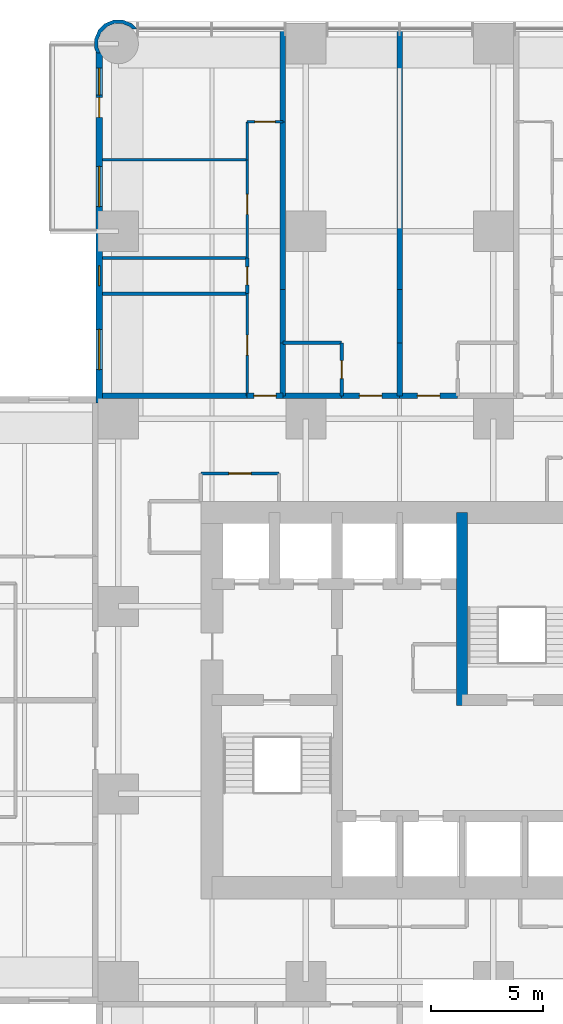
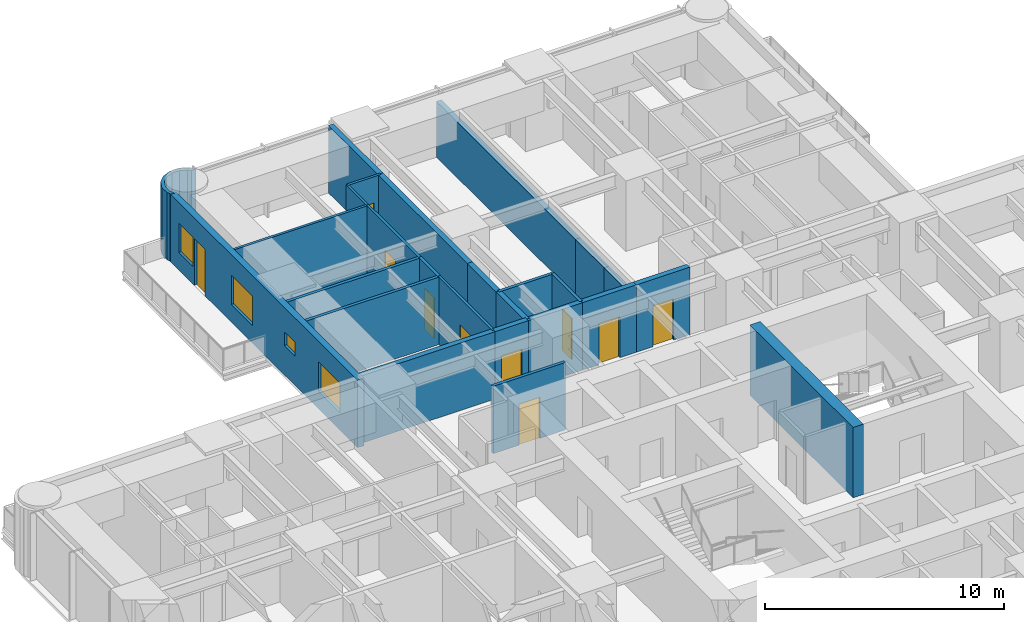
# One storey, part 13 of 17: 26 walls, 10 doors, 4 windows, 14 openings.
"""IFC4 building model written with IfcOpenShell, lengths in metres."""

from ifc_helpers import new_model, si_unit, direction, frame, frame_2d, origin, place, context, subcontext, project, spatial, polyline, rectangle, outline, extrude, material, layer, layer_set, type_object, element, fill, save


model = new_model("IFC4")

# Units and contexts
model_context = context("Model", 3, precision=1e-05, world=origin(), true_north=direction((0.0, 1.0)))
body_context = subcontext(model_context, "Body", "Model", "MODEL_VIEW")
ifc_project = project(units=[si_unit("LENGTHUNIT", "METRE"), si_unit("AREAUNIT", "SQUARE_METRE"), si_unit("VOLUMEUNIT", "CUBIC_METRE"), si_unit("PLANEANGLEUNIT", "RADIAN"), si_unit("MASSUNIT", "GRAM", prefix="KILO")], contexts=[model_context])

# Site, building, storey
site_placement = place(None, origin())
site = spatial("IfcSite", under=ifc_project, at=site_placement, CompositionType="ELEMENT")
building_placement = place(site_placement, origin())
building = spatial("IfcBuilding", under=site, at=building_placement, Name="Torre Alcanfor", CompositionType="ELEMENT")
storey_placement = place(building_placement, frame((0.0, 0.0, 92.10009765625)))
storey = spatial("IfcBuildingStorey", under=building, at=storey_placement, Name="L23", CompositionType="ELEMENT", Elevation=92.10009765625)

# Wall, opening, door
ifc_material_1 = material(Name="Concrete block masonry, hollow blocks NMX-C-404 9 MPa", Category="masonry")
ifc_layer_1 = layer(ifc_material_1, 0.25)
ifc_layer_set_1 = layer_set([ifc_layer_1], Name="Apartment entrance wall 250 EI 60")
wall_type_1 = type_object("IfcWallType", Name="Apartment entrance wall 250 EI 60", PredefinedType="PARTITIONING", material=ifc_layer_set_1)
wall_1_placement = place(storey_placement, frame((26.800048828125, 43.02490234375, 0.0), z_axis=(0.0, 0.0, 1.0), x_axis=(1.0, 0.0, 0.0)))
wall_1 = element("IfcWall", 1, at=wall_1_placement, inside=storey, type_object=wall_type_1, Name="Partition L23-CORR / L23-N1A-FOYER", PredefinedType="PARTITIONING", context=body_context, shape_type="SweptSolid", body=[
    extrude(rectangle(XDim=2.599853515625, YDim=0.25, at=frame_2d((1.2998046875, 0.0))), origin(), (0.0, 0.0, 1.0), 3.449951171875),
])
opening_1_placement = place(wall_1_placement, frame((0.800048828125, 0.0, 0.0)))
opening_1 = element("IfcOpeningElement", 2, at=opening_1_placement, cuts=wall_1, Name="Opening D-A1", PredefinedType="OPENING", context=body_context, shape_type="SweptSolid", body=[
    extrude(rectangle(XDim=1.0, YDim=2.10009765625, at=frame_2d((0.5, 1.050048828125))), frame((0.0, 0.135009765625, 0.0), z_axis=(0.0, -1.0, 0.0), x_axis=(1.0, 0.0, 0.0)), (0.0, 0.0, 1.0), 0.27001953125),
])
ifc_material_2 = material(Name="Galvanised steel sheet ASTM A653", Category="steel")
door_type_1 = type_object("IfcDoorType", Name="Apartment entrance door FD60 1000x2100", OperationType="SINGLE_SWING_LEFT", PredefinedType="DOOR", material=ifc_material_2)
door_1_placement = place(opening_1_placement, origin())
door_1 = element("IfcDoor", 3, at=door_1_placement, inside=storey, type_object=door_type_1, Name="Apartment entrance L23-N1A", OperationType="SINGLE_SWING_LEFT", OverallHeight=2.10009765625, OverallWidth=1.0, PredefinedType="DOOR", context=body_context, shape_type="SweptSolid", body=[
    extrude(rectangle(XDim=1.0, YDim=2.10009765625, at=frame_2d((0.5, 1.050048828125))), frame((0.0, 0.02490234375, 0.0), z_axis=(0.0, -1.0, 0.0), x_axis=(1.0, 0.0, 0.0)), (0.0, 0.0, 1.0), 0.050048828125),
])
fill(opening_1, door_1)

# Wall
wall_2_placement = place(storey_placement, frame((24.1708984375, 43.02490234375, 0.0), z_axis=(0.0, 0.0, 1.0), x_axis=(1.0, 0.0, 0.0)))
element("IfcWall", 4, at=wall_2_placement, inside=storey, type_object=wall_type_1, Name="Partition L23-CORR / L23-N1A-BATH", PredefinedType="PARTITIONING", context=body_context, shape_type="SweptSolid", body=[
    extrude(rectangle(XDim=2.629150390625, YDim=0.25, at=frame_2d((1.314453125, 0.0))), origin(), (0.0, 0.0, 1.0), 3.449951171875),
])

# Wall, opening, door
wall_3_placement = place(storey_placement, frame((22.571044921875, 43.02490234375, 0.0), z_axis=(0.0, 0.0, 1.0), x_axis=(1.0, 0.0, 0.0)))
wall_3 = element("IfcWall", 5, at=wall_3_placement, inside=storey, type_object=wall_type_1, Name="Partition L23-CORR / L23-N1B-HALL", PredefinedType="PARTITIONING", context=body_context, shape_type="SweptSolid", body=[
    extrude(rectangle(XDim=1.599853515625, YDim=0.25, at=frame_2d((0.7998046875, 0.0))), origin(), (0.0, 0.0, 1.0), 3.449951171875),
])
opening_2_placement = place(wall_3_placement, frame((0.300048828125, 0.0, 0.0)))
opening_2 = element("IfcOpeningElement", 6, at=opening_2_placement, cuts=wall_3, Name="Opening D-A1", PredefinedType="OPENING", context=body_context, shape_type="SweptSolid", body=[
    extrude(rectangle(XDim=1.0, YDim=2.10009765625, at=frame_2d((0.5, 1.050048828125))), frame((0.0, 0.135009765625, 0.0), z_axis=(0.0, -1.0, 0.0), x_axis=(1.0, 0.0, 0.0)), (0.0, 0.0, 1.0), 0.27001953125),
])
door_2_placement = place(opening_2_placement, origin())
door_2 = element("IfcDoor", 7, at=door_2_placement, inside=storey, type_object=door_type_1, Name="Apartment entrance L23-N1B", OperationType="SINGLE_SWING_LEFT", OverallHeight=2.10009765625, OverallWidth=1.0, PredefinedType="DOOR", context=body_context, shape_type="SweptSolid", body=[
    extrude(rectangle(XDim=1.0, YDim=2.10009765625, at=frame_2d((0.5, 1.050048828125))), frame((0.0, 0.02490234375, 0.0), z_axis=(0.0, -1.0, 0.0), x_axis=(1.0, 0.0, 0.0)), (0.0, 0.0, 1.0), 0.050048828125),
])
fill(opening_2, door_2)

# Wall
wall_4_placement = place(storey_placement, frame((16.10009765625, 43.02490234375, 0.0), z_axis=(0.0, 0.0, 1.0), x_axis=(1.0, 0.0, 0.0)))
element("IfcWall", 8, at=wall_4_placement, inside=storey, type_object=wall_type_1, Name="Partition L23-CORR / L23-N1B-MASTER", PredefinedType="PARTITIONING", context=body_context, shape_type="SweptSolid", body=[
    extrude(rectangle(XDim=6.470947265625, YDim=0.25, at=frame_2d((3.2353515625, 0.0))), origin(), (0.0, 0.0, 1.0), 3.449951171875),
])

# Wall, opening, door
wall_5_placement = place(storey_placement, frame((29.39990234375, 43.02490234375, 0.0), z_axis=(0.0, 0.0, 1.0), x_axis=(1.0, 0.0, 0.0)))
wall_5 = element("IfcWall", 9, at=wall_5_placement, inside=storey, type_object=wall_type_1, Name="Partition L23-CORR / L23-N2A-FOYER", PredefinedType="PARTITIONING", context=body_context, shape_type="SweptSolid", body=[
    extrude(rectangle(XDim=2.60009765625, YDim=0.25, at=frame_2d((1.300048828125, 0.0))), origin(), (0.0, 0.0, 1.0), 3.449951171875),
])
opening_3_placement = place(wall_5_placement, frame((0.800048828125, 0.0, 0.0)))
opening_3 = element("IfcOpeningElement", 10, at=opening_3_placement, cuts=wall_5, Name="Opening D-A1", PredefinedType="OPENING", context=body_context, shape_type="SweptSolid", body=[
    extrude(rectangle(XDim=1.0, YDim=2.10009765625, at=frame_2d((0.5, 1.050048828125))), frame((0.0, 0.135009765625, 0.0), z_axis=(0.0, -1.0, 0.0), x_axis=(1.0, 0.0, 0.0)), (0.0, 0.0, 1.0), 0.27001953125),
])
door_3_placement = place(opening_3_placement, origin())
door_3 = element("IfcDoor", 11, at=door_3_placement, inside=storey, type_object=door_type_1, Name="Apartment entrance L23-N2A", OperationType="SINGLE_SWING_LEFT", OverallHeight=2.10009765625, OverallWidth=1.0, PredefinedType="DOOR", context=body_context, shape_type="SweptSolid", body=[
    extrude(rectangle(XDim=1.0, YDim=2.10009765625, at=frame_2d((0.5, 1.050048828125))), frame((0.0, 0.02490234375, 0.0), z_axis=(0.0, -1.0, 0.0), x_axis=(1.0, 0.0, 0.0)), (0.0, 0.0, 1.0), 0.050048828125),
])
fill(opening_3, door_3)

ifc_material_3 = material(Name="Gypsum board on steel studs", Category="steel")
ifc_layer_2 = layer(ifc_material_3, 0.1201171875)
ifc_layer_set_2 = layer_set([ifc_layer_2], Name="Apartment partition 120")
wall_type_2 = type_object("IfcWallType", Name="Apartment partition 120", PredefinedType="PARTITIONING", material=ifc_layer_set_2)
wall_6_placement = place(storey_placement, frame((22.571044921875, 47.60009765625, 0.0), z_axis=(0.0, 0.0, 1.0), x_axis=(0.0, -1.0, 0.0)))
wall_6 = element("IfcWall", 12, at=wall_6_placement, inside=storey, type_object=wall_type_2, Name="Partition L23-N1B-HALL / L23-N1B-MASTER", PredefinedType="PARTITIONING", context=body_context, shape_type="SweptSolid", body=[
    extrude(rectangle(XDim=4.5751953125, YDim=0.1201171875, at=frame_2d((2.28759765625, 0.0))), origin(), (0.0, 0.0, 1.0), 3.449951171875),
])
opening_4_placement = place(wall_6_placement, frame((1.85009765625, 0.0, 0.0)))
opening_4 = element("IfcOpeningElement", 13, at=opening_4_placement, cuts=wall_6, Name="Opening D-R1", PredefinedType="OPENING", context=body_context, shape_type="SweptSolid", body=[
    extrude(rectangle(XDim=0.89990234375, YDim=2.10009765625, at=frame_2d((0.449951171875, 1.050048828125))), frame((0.0, 0.070068359375, 0.0), z_axis=(0.0, -1.0, 0.0), x_axis=(1.0, 0.0, 0.0)), (0.0, 0.0, 1.0), 0.14013671875),
])
ifc_material_4 = material(Name="Timber", Category="wood")
door_type_2 = type_object("IfcDoorType", Name="Internal door 900x2100", OperationType="SINGLE_SWING_LEFT", PredefinedType="DOOR", material=ifc_material_4)
door_4_placement = place(opening_4_placement, frame((0.89990234375, 0.0, 0.0), z_axis=(0.0, 0.0, 1.0), x_axis=(-1.0, 0.0, 0.0)))
door_4 = element("IfcDoor", 14, at=door_4_placement, inside=storey, type_object=door_type_2, Name="Door L23-N1B master", OperationType="SINGLE_SWING_LEFT", OverallHeight=2.10009765625, OverallWidth=0.89990234375, PredefinedType="DOOR", context=body_context, shape_type="SweptSolid", body=[
    extrude(rectangle(XDim=0.89990234375, YDim=2.10009765625, at=frame_2d((0.449951171875, 1.050048828125))), frame((0.0, 0.025146484375, 0.0), z_axis=(0.0, -1.0, 0.0), x_axis=(1.0, 0.0, 0.0)), (0.0, 0.0, 1.0), 0.050048828125),
])
fill(opening_4, door_4)

wall_7_placement = place(storey_placement, frame((22.571044921875, 53.60009765625, 0.0), z_axis=(0.0, 0.0, 1.0), x_axis=(0.0, -1.0, 0.0)))
wall_7 = element("IfcWall", 15, at=wall_7_placement, inside=storey, type_object=wall_type_2, Name="Partition L23-N1B-HALL / L23-N1B-STUDY", PredefinedType="PARTITIONING", context=body_context, shape_type="SweptSolid", body=[
    extrude(rectangle(XDim=4.400146484375, YDim=0.1201171875, at=frame_2d((2.2001953125, 0.0))), origin(), (0.0, 0.0, 1.0), 3.449951171875),
])
opening_5_placement = place(wall_7_placement, frame((1.550048828125, 0.0, 0.0)))
opening_5 = element("IfcOpeningElement", 16, at=opening_5_placement, cuts=wall_7, Name="Opening D-R1", PredefinedType="OPENING", context=body_context, shape_type="SweptSolid", body=[
    extrude(rectangle(XDim=0.89990234375, YDim=2.10009765625, at=frame_2d((0.449951171875, 1.050048828125))), frame((0.0, 0.070068359375, 0.0), z_axis=(0.0, -1.0, 0.0), x_axis=(1.0, 0.0, 0.0)), (0.0, 0.0, 1.0), 0.14013671875),
])
door_5_placement = place(opening_5_placement, frame((0.89990234375, 0.0, 0.0), z_axis=(0.0, 0.0, 1.0), x_axis=(-1.0, 0.0, 0.0)))
door_5 = element("IfcDoor", 17, at=door_5_placement, inside=storey, type_object=door_type_2, Name="Door L23-N1B study", OperationType="SINGLE_SWING_RIGHT", OverallHeight=2.10009765625, OverallWidth=0.89990234375, PredefinedType="DOOR", context=body_context, shape_type="SweptSolid", body=[
    extrude(rectangle(XDim=0.89990234375, YDim=2.10009765625, at=frame_2d((0.449951171875, 1.050048828125))), frame((0.0, 0.025146484375, 0.0), z_axis=(0.0, -1.0, 0.0), x_axis=(1.0, 0.0, 0.0)), (0.0, 0.0, 1.0), 0.050048828125),
])
fill(opening_5, door_5)

# Wall
wall_8_placement = place(storey_placement, frame((22.571044921875, 55.300048828125, 0.0), z_axis=(0.0, 0.0, 1.0), x_axis=(0.0, -1.0, 0.0)))
element("IfcWall", 18, at=wall_8_placement, inside=storey, type_object=wall_type_2, Name="Partition L23-N1B-HALL / L23-N1B-KITCHEN", PredefinedType="PARTITIONING", context=body_context, shape_type="SweptSolid", body=[
    extrude(rectangle(XDim=1.699951171875, YDim=0.1201171875, at=frame_2d((0.85009765625, 0.0))), origin(), (0.0, 0.0, 1.0), 3.449951171875),
])

# Wall, opening, door
wall_9_placement = place(storey_placement, frame((24.1708984375, 55.300048828125, 0.0), z_axis=(0.0, 0.0, 1.0), x_axis=(-1.0, 0.0, 0.0)))
wall_9 = element("IfcWall", 19, at=wall_9_placement, inside=storey, type_object=wall_type_2, Name="Partition L23-N1B-HALL / L23-N1B-LIVING", PredefinedType="PARTITIONING", context=body_context, shape_type="SweptSolid", body=[
    extrude(rectangle(XDim=1.599853515625, YDim=0.1201171875, at=frame_2d((0.7998046875, 0.0))), origin(), (0.0, 0.0, 1.0), 3.449951171875),
])
opening_6_placement = place(wall_9_placement, frame((0.35009765625, 0.0, 0.0)))
opening_6 = element("IfcOpeningElement", 20, at=opening_6_placement, cuts=wall_9, Name="Opening D-R1", PredefinedType="OPENING", context=body_context, shape_type="SweptSolid", body=[
    extrude(rectangle(XDim=0.89990234375, YDim=2.10009765625, at=frame_2d((0.449951171875, 1.050048828125))), frame((0.0, 0.070068359375, 0.0), z_axis=(0.0, -1.0, 0.0), x_axis=(1.0, 0.0, 0.0)), (0.0, 0.0, 1.0), 0.14013671875),
])
door_6_placement = place(opening_6_placement, frame((0.89990234375, 0.0, 0.0), z_axis=(0.0, 0.0, 1.0), x_axis=(-1.0, 0.0, 0.0)))
door_6 = element("IfcDoor", 21, at=door_6_placement, inside=storey, type_object=door_type_2, Name="Door L23-N1B living", OperationType="SINGLE_SWING_RIGHT", OverallHeight=2.10009765625, OverallWidth=0.89990234375, PredefinedType="DOOR", context=body_context, shape_type="SweptSolid", body=[
    extrude(rectangle(XDim=0.89990234375, YDim=2.10009765625, at=frame_2d((0.449951171875, 1.050048828125))), frame((0.0, 0.025146484375, 0.0), z_axis=(0.0, -1.0, 0.0), x_axis=(1.0, 0.0, 0.0)), (0.0, 0.0, 1.0), 0.050048828125),
])
fill(opening_6, door_6)

# Walls
wall_10_placement = place(storey_placement, frame((22.571044921875, 53.60009765625, 0.0), z_axis=(0.0, 0.0, 1.0), x_axis=(-1.0, 0.0, 0.0)))
element("IfcWall", 22, at=wall_10_placement, inside=storey, type_object=wall_type_2, Name="Partition L23-N1B-STUDY / L23-N1B-KITCHEN", PredefinedType="PARTITIONING", context=body_context, shape_type="SweptSolid", body=[
    extrude(rectangle(XDim=6.470947265625, YDim=0.1201171875, at=frame_2d((3.2353515625, 0.0))), origin(), (0.0, 0.0, 1.0), 3.449951171875),
])
ifc_material_5 = material(Name="Concrete f'c 70 MPa", Category="concrete")
ifc_layer_3 = layer(ifc_material_5, 0.5)
ifc_layer_set_3 = layer_set([ifc_layer_3], Name="Core inner wall 500 f'c70")
wall_type_3 = type_object("IfcWallType", Name="Core inner wall 500 f'c70", PredefinedType="SHEAR", material=ifc_layer_set_3)
wall_11_placement = place(storey_placement, frame((32.199951171875, 29.14990234375, 0.0), z_axis=(0.0, 0.0, 1.0), x_axis=(0.0, 1.0, 0.0)))
element("IfcWall", 23, at=wall_11_placement, inside=storey, type_object=wall_type_3, Name="Core wall X322N L23", PredefinedType="SHEAR", context=body_context, shape_type="SweptSolid", body=[
    extrude(rectangle(XDim=8.650146484375, YDim=0.5, at=frame_2d((4.3251953125, 0.0))), origin(), (0.0, 0.0, 1.0), 3.599853515625),
])

# Wall, openings, door, windows
ifc_material_6 = material(Name="Limestone cladding", Category="masonry")
ifc_layer_4 = layer(ifc_material_6, 0.0400390625, Name="Facing")
ifc_material_7 = material(Name="Ventilated air cavity")
ifc_layer_5 = layer(ifc_material_7, 0.02001953125, ventilated=True, Name="Ventilated joint")
ifc_material_8 = material(Name="Mineral wool insulation", Category="insulation")
ifc_layer_6 = layer(ifc_material_8, 0.10009765625, Name="Insulation")
ifc_material_9 = material(Name="Concrete f'c 35 MPa", Category="concrete")
ifc_layer_7 = layer(ifc_material_9, 0.139892578125, Name="Backing")
ifc_layer_set_4 = layer_set([ifc_layer_4, ifc_layer_5, ifc_layer_6, ifc_layer_7], Name="External wall stone-clad 300")
wall_type_4 = type_object("IfcWallType", Name="External wall stone-clad 300", PredefinedType="SOLIDWALL", material=ifc_layer_set_4)
wall_12_placement = place(storey_placement, frame((15.949951171875, 58.39990234375, 0.0), z_axis=(0.0, 0.0, 1.0), x_axis=(0.0, -1.0, 0.0)))
wall_12 = element("IfcWall", 24, at=wall_12_placement, inside=storey, type_object=wall_type_4, Name="External wall L23 12", PredefinedType="SOLIDWALL", context=body_context, shape_type="SweptSolid", body=[
    extrude(rectangle(XDim=15.699951171875, YDim=0.300048828125, at=frame_2d((7.85009765625, 0.0))), origin(), (0.0, 0.0, 1.0), 3.449951171875),
])
opening_7_placement = place(wall_12_placement, frame((12.39990234375, 0.0, 0.89990234375)))
opening_7 = element("IfcOpeningElement", 25, at=opening_7_placement, cuts=wall_12, Name="Opening W2", PredefinedType="OPENING", context=body_context, shape_type="SweptSolid", body=[
    extrude(rectangle(XDim=1.800048828125, YDim=1.5, at=frame_2d((0.89990234375, 0.75))), frame((0.0, 0.159912109375, 0.0), z_axis=(0.0, -1.0, 0.0), x_axis=(1.0, 0.0, 0.0)), (0.0, 0.0, 1.0), 0.320068359375),
])
opening_8_placement = place(wall_12_placement, frame((9.550048828125, 0.0, 1.5)))
opening_8 = element("IfcOpeningElement", 26, at=opening_8_placement, cuts=wall_12, Name="Opening W3", PredefinedType="OPENING", context=body_context, shape_type="SweptSolid", body=[
    extrude(rectangle(XDim=0.89990234375, YDim=0.699951171875, at=frame_2d((0.449951171875, 0.35009765625))), frame((0.0, 0.159912109375, 0.0), z_axis=(0.0, -1.0, 0.0), x_axis=(1.0, 0.0, 0.0)), (0.0, 0.0, 1.0), 0.320068359375),
])
opening_9_placement = place(wall_12_placement, frame((5.10009765625, 0.0, 0.89990234375)))
opening_9 = element("IfcOpeningElement", 27, at=opening_9_placement, cuts=wall_12, Name="Opening W2", PredefinedType="OPENING", context=body_context, shape_type="SweptSolid", body=[
    extrude(rectangle(XDim=1.800048828125, YDim=1.5, at=frame_2d((0.89990234375, 0.75))), frame((0.0, 0.159912109375, 0.0), z_axis=(0.0, -1.0, 0.0), x_axis=(1.0, 0.0, 0.0)), (0.0, 0.0, 1.0), 0.320068359375),
])
opening_10_placement = place(wall_12_placement, frame((2.0, 0.0, 0.0)))
opening_10 = element("IfcOpeningElement", 28, at=opening_10_placement, cuts=wall_12, Name="Opening D-B1", PredefinedType="OPENING", context=body_context, shape_type="SweptSolid", body=[
    extrude(rectangle(XDim=0.89990234375, YDim=2.39990234375, at=frame_2d((0.449951171875, 1.199951171875))), frame((0.0, 0.159912109375, 0.0), z_axis=(0.0, -1.0, 0.0), x_axis=(1.0, 0.0, 0.0)), (0.0, 0.0, 1.0), 0.320068359375),
])
opening_11_placement = place(wall_12_placement, frame((0.699951171875, 0.0, 0.89990234375)))
opening_11 = element("IfcOpeningElement", 29, at=opening_11_placement, cuts=wall_12, Name="Opening W4", PredefinedType="OPENING", context=body_context, shape_type="SweptSolid", body=[
    extrude(rectangle(XDim=1.199951171875, YDim=1.5, at=frame_2d((0.60009765625, 0.75))), frame((0.0, 0.159912109375, 0.0), z_axis=(0.0, -1.0, 0.0), x_axis=(1.0, 0.0, 0.0)), (0.0, 0.0, 1.0), 0.320068359375),
])
ifc_material_10 = material(Name="Aluminium and glass", Category="aluminium")
door_type_3 = type_object("IfcDoorType", Name="Balcony door glazed 900x2400", OperationType="SINGLE_SWING_LEFT", PredefinedType="DOOR", material=ifc_material_10)
door_7_placement = place(opening_10_placement, origin())
door_7 = element("IfcDoor", 30, at=door_7_placement, inside=storey, type_object=door_type_3, Name="Balcony door L23-N1", OperationType="SINGLE_SWING_RIGHT", OverallHeight=2.39990234375, OverallWidth=0.89990234375, PredefinedType="DOOR", context=body_context, shape_type="SweptSolid", body=[
    extrude(rectangle(XDim=0.89990234375, YDim=2.39990234375, at=frame_2d((0.449951171875, 1.199951171875))), frame((0.0, 0.02490234375, 0.0), z_axis=(0.0, -1.0, 0.0), x_axis=(1.0, 0.0, 0.0)), (0.0, 0.0, 1.0), 0.050048828125),
])
fill(opening_10, door_7)
ifc_material_11 = material(Name="Aluminium frame with clear double glazing", Category="aluminium")
window_type_1 = type_object("IfcWindowType", Name="Window bathroom 900x700", PartitioningType="SINGLE_PANEL", PredefinedType="WINDOW", material=ifc_material_11)
window_1_placement = place(opening_8_placement, origin())
window_1 = element("IfcWindow", 31, at=window_1_placement, inside=storey, type_object=window_type_1, Name="Window W3 L23-N1", OverallHeight=0.699951171875, OverallWidth=0.89990234375, PartitioningType="SINGLE_PANEL", PredefinedType="WINDOW", context=body_context, shape_type="SweptSolid", body=[
    extrude(rectangle(XDim=0.89990234375, YDim=0.699951171875, at=frame_2d((0.449951171875, 0.35009765625))), frame((0.0, 0.030029296875, 0.0), z_axis=(0.0, -1.0, 0.0), x_axis=(1.0, 0.0, 0.0)), (0.0, 0.0, 1.0), 0.06005859375),
])
fill(opening_8, window_1)
ifc_material_12 = material(Name="Aluminium frame with clear double glazing", Category="aluminium")
window_type_2 = type_object("IfcWindowType", Name="Window bedroom 1200x1500", PartitioningType="SINGLE_PANEL", PredefinedType="WINDOW", material=ifc_material_12)
window_2_placement = place(opening_11_placement, origin())
window_2 = element("IfcWindow", 32, at=window_2_placement, inside=storey, type_object=window_type_2, Name="Window W4 L23-N1", OverallHeight=1.5, OverallWidth=1.199951171875, PartitioningType="SINGLE_PANEL", PredefinedType="WINDOW", context=body_context, shape_type="SweptSolid", body=[
    extrude(rectangle(XDim=1.199951171875, YDim=1.5, at=frame_2d((0.60009765625, 0.75))), frame((0.0, 0.030029296875, 0.0), z_axis=(0.0, -1.0, 0.0), x_axis=(1.0, 0.0, 0.0)), (0.0, 0.0, 1.0), 0.06005859375),
])
fill(opening_11, window_2)
ifc_material_13 = material(Name="Aluminium frame with clear double glazing", Category="aluminium")
window_type_3 = type_object("IfcWindowType", Name="Window bedroom 1800x1500", PartitioningType="SINGLE_PANEL", PredefinedType="WINDOW", material=ifc_material_13)
window_3_placement = place(opening_7_placement, origin())
window_3 = element("IfcWindow", 33, at=window_3_placement, inside=storey, type_object=window_type_3, Name="Window W2 L23-N1", OverallHeight=1.5, OverallWidth=1.800048828125, PartitioningType="SINGLE_PANEL", PredefinedType="WINDOW", context=body_context, shape_type="SweptSolid", body=[
    extrude(rectangle(XDim=1.800048828125, YDim=1.5, at=frame_2d((0.89990234375, 0.75))), frame((0.0, 0.030029296875, 0.0), z_axis=(0.0, -1.0, 0.0), x_axis=(1.0, 0.0, 0.0)), (0.0, 0.0, 1.0), 0.06005859375),
])
fill(opening_7, window_3)
window_4_placement = place(opening_9_placement, origin())
window_4 = element("IfcWindow", 34, at=window_4_placement, inside=storey, type_object=window_type_3, Name="Window W2 L23-N1", OverallHeight=1.5, OverallWidth=1.800048828125, PartitioningType="SINGLE_PANEL", PredefinedType="WINDOW", context=body_context, shape_type="SweptSolid", body=[
    extrude(rectangle(XDim=1.800048828125, YDim=1.5, at=frame_2d((0.89990234375, 0.75))), frame((0.0, 0.030029296875, 0.0), z_axis=(0.0, -1.0, 0.0), x_axis=(1.0, 0.0, 0.0)), (0.0, 0.0, 1.0), 0.06005859375),
])
fill(opening_9, window_4)

# Walls
ifc_material_14 = material(Name="Concrete block masonry, hollow blocks NMX-C-404 9 MPa", Category="masonry")
ifc_layer_8 = layer(ifc_material_14, 0.25)
ifc_layer_set_5 = layer_set([ifc_layer_8], Name="Party wall 250 EI 60")
wall_type_5 = type_object("IfcWallType", Name="Party wall 250 EI 60", PredefinedType="PARTITIONING", material=ifc_layer_set_5)
wall_13_placement = place(storey_placement, frame((29.39990234375, 43.02490234375, 0.0), z_axis=(0.0, 0.0, 1.0), x_axis=(0.0, 1.0, 0.0)))
element("IfcWall", 35, at=wall_13_placement, inside=storey, type_object=wall_type_5, Name="Partition L23-N1A-FOYER / L23-N2A-FOYER", PredefinedType="PARTITIONING", context=body_context, shape_type="SweptSolid", body=[
    extrude(rectangle(XDim=2.375, YDim=0.25, at=frame_2d((1.1875, 0.0))), origin(), (0.0, 0.0, 1.0), 2.847900390625),
])
wall_14_placement = place(storey_placement, frame((24.1708984375, 45.39990234375, 0.0), z_axis=(0.0, 0.0, 1.0), x_axis=(0.0, -1.0, 0.0)))
element("IfcWall", 36, at=wall_14_placement, inside=storey, type_object=wall_type_5, Name="Partition L23-N1A-BATH / L23-N1B-HALL", PredefinedType="PARTITIONING", context=body_context, shape_type="SweptSolid", body=[
    extrude(rectangle(XDim=2.375, YDim=0.25, at=frame_2d((1.1875, 0.0))), origin(), (0.0, 0.0, 1.0), 3.449951171875),
])
wall_15_placement = place(storey_placement, frame((24.1708984375, 47.800048828125, 0.0), z_axis=(0.0, 0.0, 1.0), x_axis=(0.0, -1.0, 0.0)))
element("IfcWall", 37, at=wall_15_placement, inside=storey, type_object=wall_type_5, Name="Partition L23-N1A-KITCHEN / L23-N1B-HALL", PredefinedType="PARTITIONING", context=body_context, shape_type="SweptSolid", body=[
    extrude(rectangle(XDim=2.400146484375, YDim=0.25, at=frame_2d((1.2001953125, 0.0))), origin(), (0.0, 0.0, 1.0), 3.449951171875),
])
wall_16_placement = place(storey_placement, frame((29.39990234375, 45.39990234375, 0.0), z_axis=(0.0, 0.0, 1.0), x_axis=(0.0, 1.0, 0.0)))
element("IfcWall", 38, at=wall_16_placement, inside=storey, type_object=wall_type_5, Name="Partition L23-N1A-KITCHEN / L23-N2A-KITCHEN", PredefinedType="PARTITIONING", context=body_context, shape_type="SweptSolid", body=[
    extrude(rectangle(XDim=2.400146484375, YDim=0.25, at=frame_2d((1.2001953125, 0.0))), origin(), (0.0, 0.0, 1.0), 2.847900390625),
])
wall_17_placement = place(storey_placement, frame((24.1708984375, 55.300048828125, 0.0), z_axis=(0.0, 0.0, 1.0), x_axis=(0.0, -1.0, 0.0)))
element("IfcWall", 39, at=wall_17_placement, inside=storey, type_object=wall_type_5, Name="Partition L23-N1A-STUDIO / L23-N1B-HALL", PredefinedType="PARTITIONING", context=body_context, shape_type="SweptSolid", body=[
    extrude(rectangle(XDim=7.5, YDim=0.25, at=frame_2d((3.75, 0.0))), origin(), (0.0, 0.0, 1.0), 3.449951171875),
])
wall_18_placement = place(storey_placement, frame((24.1708984375, 59.449951171875, 0.0), z_axis=(0.0, 0.0, 1.0), x_axis=(0.0, -1.0, 0.0)))
element("IfcWall", 40, at=wall_18_placement, inside=storey, type_object=wall_type_5, Name="Partition L23-N1A-STUDIO / L23-N1B-LIVING", PredefinedType="PARTITIONING", context=body_context, shape_type="SweptSolid", body=[
    extrude(rectangle(XDim=4.14990234375, YDim=0.25, at=frame_2d((2.074951171875, 0.0))), origin(), (0.0, 0.0, 1.0), 3.449951171875),
])
wall_19_placement = place(storey_placement, frame((29.39990234375, 47.800048828125, 0.0), z_axis=(0.0, 0.0, 1.0), x_axis=(0.0, 1.0, 0.0)))
element("IfcWall", 41, at=wall_19_placement, inside=storey, type_object=wall_type_5, Name="Partition L23-N1A-STUDIO / L23-N2A-STUDIO", PredefinedType="PARTITIONING", context=body_context, shape_type="SweptSolid", body=[
    extrude(rectangle(XDim=11.64990234375, YDim=0.25, at=frame_2d((5.824951171875, 0.0))), origin(), (0.0, 0.0, 1.0), 2.847900390625),
])

# Wall, opening, door
ifc_material_15 = material(Name="Concrete block masonry, hollow blocks NMX-C-404 9 MPa", Category="masonry")
ifc_layer_9 = layer(ifc_material_15, 0.14990234375)
ifc_layer_set_6 = layer_set([ifc_layer_9], Name="Residents' room partition 150")
wall_type_6 = type_object("IfcWallType", Name="Residents' room partition 150", PredefinedType="PARTITIONING", material=ifc_layer_set_6)
wall_20_placement = place(storey_placement, frame((24.0, 39.550048828125, 0.0), z_axis=(0.0, 0.0, 1.0), x_axis=(-1.0, 0.0, 0.0)))
wall_20 = element("IfcWall", 42, at=wall_20_placement, inside=storey, type_object=wall_type_6, Name="Partition L23-CORR / L23-G01", PredefinedType="PARTITIONING", context=body_context, shape_type="SweptSolid", body=[
    extrude(rectangle(XDim=3.5, YDim=0.14990234375, at=frame_2d((1.75, 0.0))), origin(), (0.0, 0.0, 1.0), 3.449951171875),
])
opening_12_placement = place(wall_20_placement, frame((1.25, 0.0, 0.0)))
opening_12 = element("IfcOpeningElement", 43, at=opening_12_placement, cuts=wall_20, Name="Opening D-M1", PredefinedType="OPENING", context=body_context, shape_type="SweptSolid", body=[
    extrude(rectangle(XDim=1.0, YDim=2.10009765625, at=frame_2d((0.5, 1.050048828125))), frame((0.0, 0.0849609375, 0.0), z_axis=(0.0, -1.0, 0.0), x_axis=(1.0, 0.0, 0.0)), (0.0, 0.0, 1.0), 0.169921875),
])
ifc_material_16 = material(Name="Timber", Category="wood")
door_type_4 = type_object("IfcDoorType", Name="Residents' room door 1000x2100", OperationType="SINGLE_SWING_LEFT", PredefinedType="DOOR", material=ifc_material_16)
door_8_placement = place(opening_12_placement, origin())
door_8 = element("IfcDoor", 44, at=door_8_placement, inside=storey, type_object=door_type_4, Name="Door L23-G01 parcel room", OperationType="SINGLE_SWING_LEFT", OverallHeight=2.10009765625, OverallWidth=1.0, PredefinedType="DOOR", context=body_context, shape_type="SweptSolid", body=[
    extrude(rectangle(XDim=1.0, YDim=2.10009765625, at=frame_2d((0.5, 1.050048828125))), frame((0.0, 0.02490234375, 0.0), z_axis=(0.0, -1.0, 0.0), x_axis=(1.0, 0.0, 0.0)), (0.0, 0.0, 1.0), 0.050048828125),
])
fill(opening_12, door_8)

# Wall
ifc_layer_10 = layer(ifc_material_6, 0.0400390625, Name="Facing")
ifc_layer_11 = layer(ifc_material_7, 0.02001953125, ventilated=True, Name="Ventilated joint")
ifc_layer_12 = layer(ifc_material_8, 0.10009765625, Name="Insulation")
ifc_layer_13 = layer(ifc_material_9, 0.139892578125, Name="Backing")
ifc_layer_set_7 = layer_set([ifc_layer_10, ifc_layer_11, ifc_layer_12, ifc_layer_13], Name="Rounded corner pier stone-clad 300")
wall_type_7 = type_object("IfcWallType", Name="Rounded corner pier stone-clad 300", PredefinedType="SOLIDWALL", material=ifc_layer_set_7)
wall_21_placement = place(storey_placement, frame((17.56659392, 59.410519256, 0.0), z_axis=(0.0, 0.0, 1.0), x_axis=(-0.377204953059, 0.926129809145, 0.0)))
element("IfcWall", 45, at=wall_21_placement, inside=storey, type_object=wall_type_7, Name="Corner pier L23 20", PredefinedType="SOLIDWALL", context=body_context, shape_type="SweptSolid", body=[
    extrude(outline(polyline([(-0.2696128896034876, 2.017259773730947), (-0.3700074466497617, 1.8406682313445892), (-0.10228391712117135, 1.84234447704578), (0.22963955939869596, 1.7071548112521016), (0.48448400216769655, 1.4552078217286728), (0.623591424193435, 1.1249193736895309), (0.6256953869469392, 0.7663384814459974), (0.4905057211532608, 0.43441500492612994), (0.23855873162983204, 0.17957056215712927), (0.0901868556189969, 0.11689353267829827), (0.010896458992050665, -0.07778365620699182), (0.024462813618203284, -0.08330911938656994), (0.3293875956360306, 0.04530321995417183), (0.4799529344667901, 0.19750641360159463), (0.4990544088845829, 0.19262629437695172), (0.507600976756774, 0.22526044306054033), (0.6260470289213595, 0.34520397592848606), (0.7850882774402169, 0.7356888832512456), (0.7822913942554518, 1.1572920874778148), (0.618751344370654, 1.5460366857348715), (0.3187584973433468, 1.8424700131097647), (-0.07172640997941271, 2.0015112616286217), (-0.24006791291721008, 2.0004813020300714), (-0.2696128896034876, 2.017259773730947)])), origin(), (0.0, 0.0, 1.0), 3.449951171875),
])

# Wall, opening, door
ifc_material_17 = material(Name="Cement board on steel studs", Category="steel")
ifc_layer_14 = layer(ifc_material_17, 0.14990234375)
ifc_layer_set_8 = layer_set([ifc_layer_14], Name="Wet area partition 150")
wall_type_8 = type_object("IfcWallType", Name="Wet area partition 150", PredefinedType="PARTITIONING", material=ifc_layer_set_8)
wall_22_placement = place(storey_placement, frame((26.800048828125, 45.39990234375, 0.0), z_axis=(0.0, 0.0, 1.0), x_axis=(0.0, -1.0, 0.0)))
wall_22 = element("IfcWall", 46, at=wall_22_placement, inside=storey, type_object=wall_type_8, Name="Partition L23-N1A-FOYER / L23-N1A-BATH", PredefinedType="PARTITIONING", context=body_context, shape_type="SweptSolid", body=[
    extrude(rectangle(XDim=2.375, YDim=0.14990234375, at=frame_2d((1.1875, 0.0))), origin(), (0.0, 0.0, 1.0), 3.449951171875),
])
opening_13_placement = place(wall_22_placement, frame((0.800048828125, 0.0, 0.0)))
opening_13 = element("IfcOpeningElement", 47, at=opening_13_placement, cuts=wall_22, Name="Opening D-R2", PredefinedType="OPENING", context=body_context, shape_type="SweptSolid", body=[
    extrude(rectangle(XDim=0.800048828125, YDim=2.10009765625, at=frame_2d((0.39990234375, 1.050048828125))), frame((0.0, 0.0849609375, 0.0), z_axis=(0.0, -1.0, 0.0), x_axis=(1.0, 0.0, 0.0)), (0.0, 0.0, 1.0), 0.169921875),
])
ifc_material_18 = material(Name="Timber", Category="wood")
door_type_5 = type_object("IfcDoorType", Name="Bathroom door 800x2100", OperationType="SINGLE_SWING_LEFT", PredefinedType="DOOR", material=ifc_material_18)
door_9_placement = place(opening_13_placement, frame((0.800048828125, 0.0, 0.0), z_axis=(0.0, 0.0, 1.0), x_axis=(-1.0, 0.0, 0.0)))
door_9 = element("IfcDoor", 48, at=door_9_placement, inside=storey, type_object=door_type_5, Name="Door L23-N1A bath", OperationType="SINGLE_SWING_LEFT", OverallHeight=2.10009765625, OverallWidth=0.800048828125, PredefinedType="DOOR", context=body_context, shape_type="SweptSolid", body=[
    extrude(rectangle(XDim=0.800048828125, YDim=2.10009765625, at=frame_2d((0.400146484375, 1.050048828125))), frame((0.0, 0.025146484375, 0.0), z_axis=(0.0, -1.0, 0.0), x_axis=(1.0, 0.0, 0.0)), (0.0, 0.0, 1.0), 0.050048828125),
])
fill(opening_13, door_9)

# Wall
wall_23_placement = place(storey_placement, frame((26.800048828125, 45.39990234375, 0.0), z_axis=(0.0, 0.0, 1.0), x_axis=(-1.0, 0.0, 0.0)))
element("IfcWall", 49, at=wall_23_placement, inside=storey, type_object=wall_type_8, Name="Partition L23-N1A-BATH / L23-N1A-KITCHEN", PredefinedType="PARTITIONING", context=body_context, shape_type="SweptSolid", body=[
    extrude(rectangle(XDim=2.629150390625, YDim=0.14990234375, at=frame_2d((1.314453125, 0.0))), origin(), (0.0, 0.0, 1.0), 3.449951171875),
])

# Wall, opening, door
wall_24_placement = place(storey_placement, frame((22.571044921875, 49.199951171875, 0.0), z_axis=(0.0, 0.0, 1.0), x_axis=(0.0, -1.0, 0.0)))
wall_24 = element("IfcWall", 50, at=wall_24_placement, inside=storey, type_object=wall_type_8, Name="Partition L23-N1B-HALL / L23-N1B-BATH", PredefinedType="PARTITIONING", context=body_context, shape_type="SweptSolid", body=[
    extrude(rectangle(XDim=1.599853515625, YDim=0.14990234375, at=frame_2d((0.7998046875, 0.0))), origin(), (0.0, 0.0, 1.0), 3.449951171875),
])
opening_14_placement = place(wall_24_placement, frame((0.39990234375, 0.0, 0.0)))
opening_14 = element("IfcOpeningElement", 51, at=opening_14_placement, cuts=wall_24, Name="Opening D-R2", PredefinedType="OPENING", context=body_context, shape_type="SweptSolid", body=[
    extrude(rectangle(XDim=0.800048828125, YDim=2.10009765625, at=frame_2d((0.39990234375, 1.050048828125))), frame((0.0, 0.0849609375, 0.0), z_axis=(0.0, -1.0, 0.0), x_axis=(1.0, 0.0, 0.0)), (0.0, 0.0, 1.0), 0.169921875),
])
door_10_placement = place(opening_14_placement, frame((0.800048828125, 0.0, 0.0), z_axis=(0.0, 0.0, 1.0), x_axis=(-1.0, 0.0, 0.0)))
door_10 = element("IfcDoor", 52, at=door_10_placement, inside=storey, type_object=door_type_5, Name="Door L23-N1B bath", OperationType="SINGLE_SWING_RIGHT", OverallHeight=2.10009765625, OverallWidth=0.800048828125, PredefinedType="DOOR", context=body_context, shape_type="SweptSolid", body=[
    extrude(rectangle(XDim=0.800048828125, YDim=2.10009765625, at=frame_2d((0.400146484375, 1.050048828125))), frame((0.0, 0.025146484375, 0.0), z_axis=(0.0, -1.0, 0.0), x_axis=(1.0, 0.0, 0.0)), (0.0, 0.0, 1.0), 0.050048828125),
])
fill(opening_14, door_10)

# Walls
for number, where, z_axis, x_axis, name in (
    (53, (22.571044921875, 47.60009765625, 0.0), (0.0, 0.0, 1.0), (-1.0, 0.0, 0.0), "Partition L23-N1B-MASTER / L23-N1B-BATH"),
    (54, (22.571044921875, 49.199951171875, 0.0), (0.0, 0.0, 1.0), (-1.0, 0.0, 0.0), "Partition L23-N1B-BATH / L23-N1B-STUDY"),
):
    element("IfcWall", number, at=place(storey_placement, frame(where, z_axis=z_axis, x_axis=x_axis)), inside=storey, type_object=wall_type_8, Name=name, PredefinedType="PARTITIONING", context=body_context, shape_type="SweptSolid", body=[
        extrude(rectangle(XDim=6.470947265625, YDim=0.14990234375, at=frame_2d((3.2353515625, 0.0))), origin(), (0.0, 0.0, 1.0), 3.449951171875),
    ])

save(model, "model.ifc")
